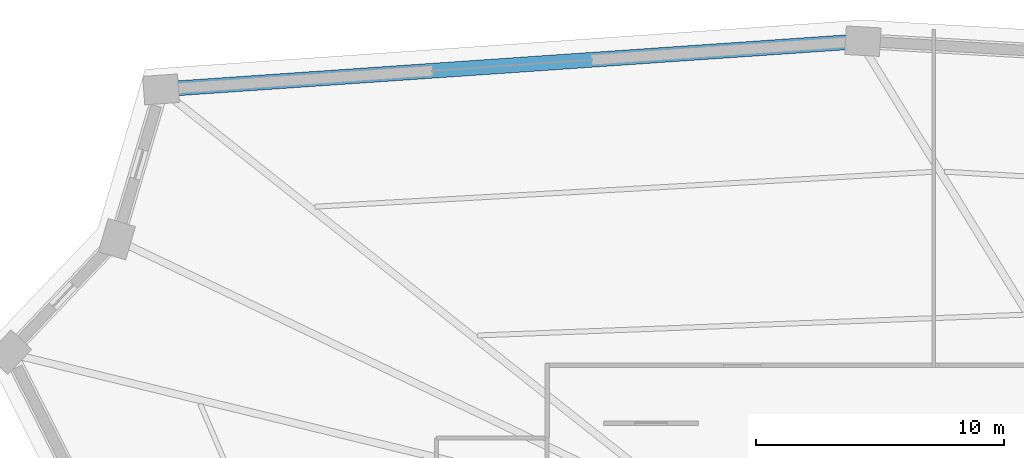
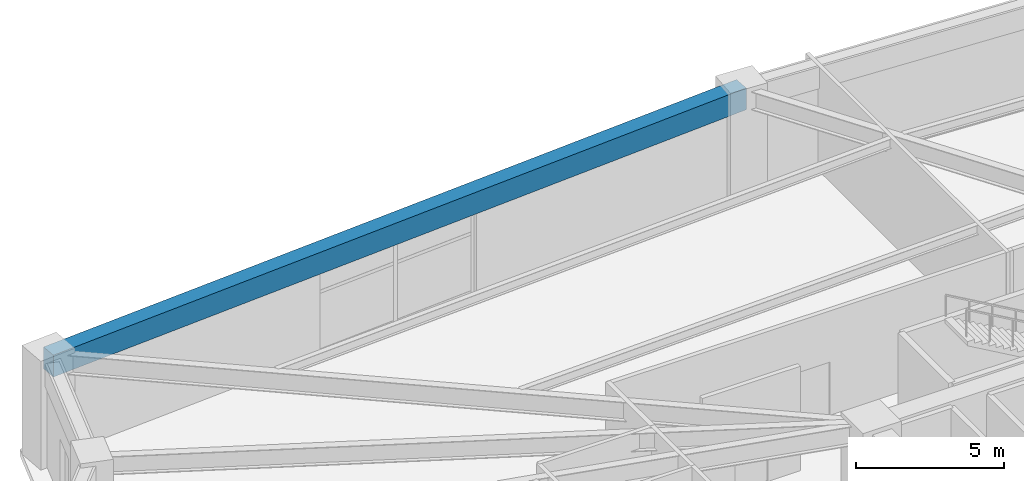
# One storey, part 19 of 30: 1 beam.
"""IFC4 building model written with IfcOpenShell, lengths in metres."""

from ifc_helpers import new_model, si_unit, direction, frame, origin, origin_2d, place, context, subcontext, project, spatial, rectangle, extrude, source, transform, mapped, material, material_profile, profile_set, type_object, element, save


model = new_model("IFC4")

# Units and contexts
model_context = context("Model", 3, precision=1e-05, world=origin(), true_north=direction((0.0, 1.0)))
body_context = subcontext(model_context, "Body", "Model", "MODEL_VIEW")
ifc_project = project(units=[si_unit("LENGTHUNIT", "METRE"), si_unit("AREAUNIT", "SQUARE_METRE"), si_unit("VOLUMEUNIT", "CUBIC_METRE"), si_unit("PLANEANGLEUNIT", "RADIAN"), si_unit("MASSUNIT", "GRAM", prefix="KILO")], contexts=[model_context])

# Site, building, storey
site_placement = place(None, origin())
site = spatial("IfcSite", under=ifc_project, at=site_placement, CompositionType="ELEMENT")
building_placement = place(site_placement, origin())
building = spatial("IfcBuilding", under=site, at=building_placement, Name="Liaohun Quay Tower", CompositionType="ELEMENT")
storey_placement = place(building_placement, frame((0.0, 0.0, 97.5)))
storey = spatial("IfcBuildingStorey", under=building, at=storey_placement, Name="L25", CompositionType="ELEMENT", Elevation=97.5)

# Beam
ifc_material = material(Name="Precast concrete C55", Category="concrete")
ifc_material_profile = material_profile(ifc_material, rectangle(XDim=0.60009765625, YDim=0.89990234375, at=origin_2d()), Name="RC600x900")
ifc_profile_set = profile_set([ifc_material_profile], Name="Precast concrete C55")
beam_type = type_object("IfcBeamType", Name="BM-SPD-Z2", PredefinedType="SPANDREL", material=ifc_profile_set)
shared_shape = source(origin(), body_context, "Body", "SweptSolid", [
    extrude(rectangle(XDim=0.60009765625, YDim=0.89990234375, at=origin_2d()), origin(), (0.0, 0.0, 1.0), 28.3095703125),
])
beam_placement = place(storey_placement, frame((28.905029296875, 79.006103515625, 3.8701171875), z_axis=(0.997646955192, 0.068560577559, 0.0), x_axis=(-0.068560577559, 0.997646955192, 0.0)))
element("IfcBeam", 1, at=beam_placement, inside=storey, type_object=beam_type, Name="L25 Precast Spandrel Beam PC05-PC06", PredefinedType="SPANDREL", context=body_context, shape_type="MappedRepresentation", body=[
    mapped(shared_shape, transform((0.0, 0.0, 0.0), x_axis=(1.0, 0.0, 0.0), y_axis=(0.0, 1.0, 0.0), z_axis=(0.0, 0.0, 1.0), scale=1.0)),
])

save(model, "model.ifc")
